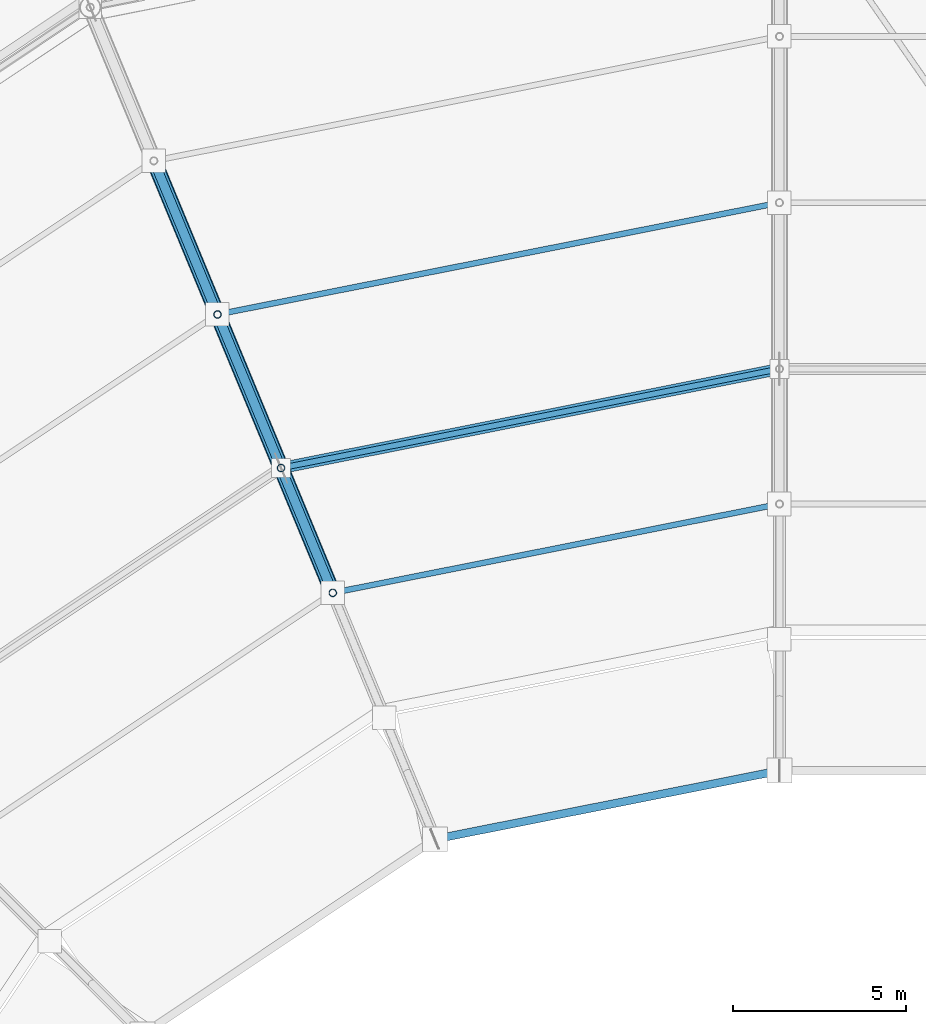
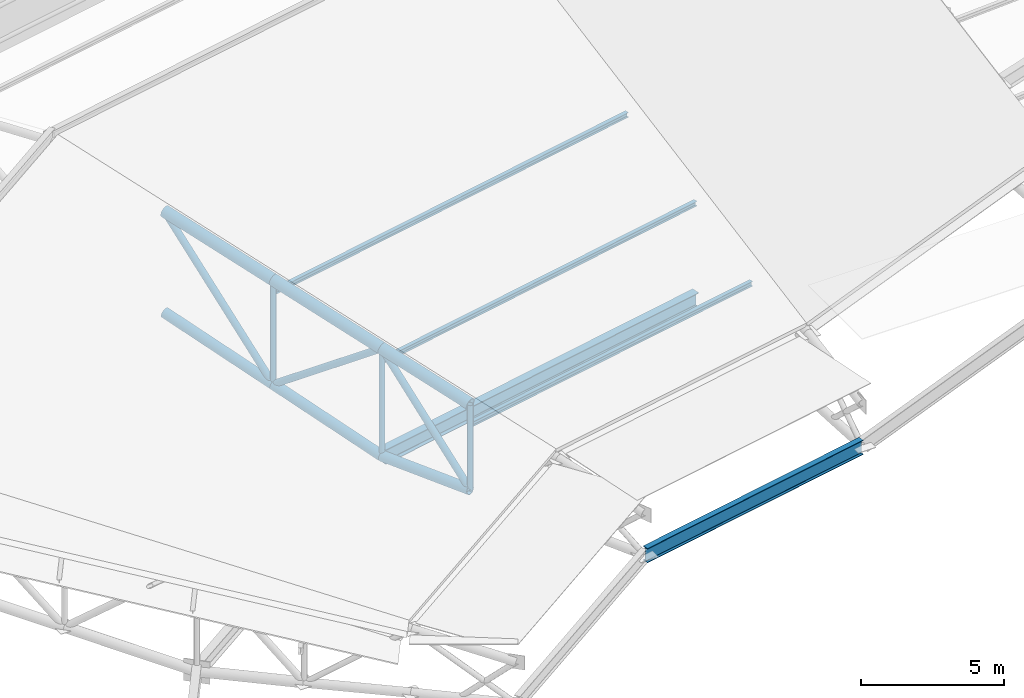
# One storey, part 52 of 146: 15 members, 2 beams.
"""IFC4 building model written with IfcOpenShell, lengths in metres."""

import ifcopenshell
import ifcopenshell.guid

model = None  # the IFC model being written
_history = None  # IfcOwnerHistory: only IFC2X3 demands one
_inside = {}  # id of a spatial element -> (the spatial element, [elements in it])
_under = {}  # id of a project, library or spatial element -> (it, [spatial elements below it])
_declared = {}  # id of a project -> (the project, [libraries it declares])
_typed = {}  # id of a type object -> (the type object, [elements of that type])
_made_of = {}  # id of a material, layer set ... -> (it, [elements and type objects made of it])


def new_model(schema):
    """Start an empty IFC model of exactly this schema.

    Asked for "IFC4X3", IfcOpenShell would pick the latest addendum, in which some entities
    have other attributes; the version numbers below select the first issue.
    IFC2X3 requires an IfcOwnerHistory on every rooted entity: one is made here for all.
    """
    global model, _history
    if schema == "IFC4X3":
        model = ifcopenshell.file(schema_version=(4, 3, 0, 0))
    else:
        model = ifcopenshell.file(schema=schema)
    _inside.clear()
    _under.clear()
    _declared.clear()
    _typed.clear()
    _made_of.clear()
    _history = None
    if model.schema == "IFC2X3":
        org = make("IfcOrganization", Name="unknown")
        user = make(
            "IfcPersonAndOrganization",
            ThePerson=make("IfcPerson", FamilyName="unknown"),
            TheOrganization=org,
        )
        app = make(
            "IfcApplication",
            ApplicationDeveloper=org,
            Version="unknown",
            ApplicationFullName="unknown",
            ApplicationIdentifier="unknown",
        )
        _history = make(
            "IfcOwnerHistory",
            OwningUser=user,
            OwningApplication=app,
            ChangeAction="ADDED",
            CreationDate=0,
        )
    return model


def make(cls, **values):
    """One entity of the class cls with the attributes given. An attribute that is None is left unset."""
    return model.create_entity(
        cls, **{name: value for name, value in values.items() if value is not None}
    )


def rooted(cls, **values):
    """An entity with a GlobalId (a new one), such as an element, a storey or a relation."""
    return make(cls, GlobalId=ifcopenshell.guid.new(), OwnerHistory=_history, **values)


def si_unit(unit_type, name, prefix=None):
    """IfcSIUnit, for example si_unit("LENGTHUNIT", "METRE", prefix="MILLI")."""
    return make("IfcSIUnit", UnitType=unit_type, Prefix=prefix, Name=name)


def assignment(units):
    """IfcUnitAssignment: the units of a project."""
    return None if units is None else make("IfcUnitAssignment", Units=units)


def point(xyz):
    """IfcCartesianPoint."""
    return None if xyz is None else make("IfcCartesianPoint", Coordinates=xyz)


def direction(xyz):
    """IfcDirection."""
    return None if xyz is None else make("IfcDirection", DirectionRatios=xyz)


def frame(location, z_axis=None, x_axis=None):
    """IfcAxis2Placement3D, a coordinate frame: its origin and axes. An axis left out is left unset."""
    return make(
        "IfcAxis2Placement3D",
        Location=point(location),
        Axis=direction(z_axis),
        RefDirection=direction(x_axis),
    )


def frame_2d(location, x_axis=None):
    """IfcAxis2Placement2D, a coordinate frame in the plane: its origin and x axis."""
    return make(
        "IfcAxis2Placement2D", Location=point(location), RefDirection=direction(x_axis)
    )


def origin():
    """The frame at (0, 0, 0) with its axes left unset."""
    return frame((0.0, 0.0, 0.0))


def origin_2d():
    """The frame at (0, 0) in the plane with its x axis left unset."""
    return frame_2d((0.0, 0.0))


def place(relative_to, where):
    """IfcLocalPlacement: puts the frame where relative to a parent placement (None: the world)."""
    return make(
        "IfcLocalPlacement", PlacementRelTo=relative_to, RelativePlacement=where
    )


def context(
    kind, dimensions, precision=None, world=None, true_north=None, identifier=None
):
    """IfcGeometricRepresentationContext, for example the 3D "Model" context."""
    return make(
        "IfcGeometricRepresentationContext",
        ContextIdentifier=identifier,
        ContextType=kind,
        CoordinateSpaceDimension=dimensions,
        Precision=precision,
        WorldCoordinateSystem=world,
        TrueNorth=true_north,
    )


def subcontext(parent, identifier, kind, view, scale=None):
    """IfcGeometricRepresentationSubContext, for example "Body" below "Model"."""
    return make(
        "IfcGeometricRepresentationSubContext",
        ContextIdentifier=identifier,
        ContextType=kind,
        ParentContext=parent,
        TargetScale=scale,
        TargetView=view,
    )


def project(units=None, contexts=None):
    """IfcProject with its units and contexts."""
    return rooted(
        "IfcProject",
        Name="project",
        RepresentationContexts=contexts,
        UnitsInContext=assignment(units),
    )


def spatial(cls, under=None, at=None, **own):
    """A site, building, storey or space (cls), placed at a placement, below another one or the project."""
    s = rooted(cls, ObjectPlacement=at, **own)
    if under is not None:
        _under.setdefault(under.id(), (under, []))[1].append(s)
    return s


def profile(cls, at=None, kind="AREA", **sizes):
    """A parametric profile (cls). Its sizes go by their IFC names, for example OverallWidth=200.0."""
    return make(cls, ProfileType=kind, Position=at, **sizes)


def hollow_circle(**sizes):
    """IfcCircleHollowProfileDef."""
    return profile("IfcCircleHollowProfileDef", **sizes)


def i_section(**sizes):
    """IfcIShapeProfileDef."""
    return profile("IfcIShapeProfileDef", **sizes)


def extrude(swept, where, along, depth):
    """IfcExtrudedAreaSolid: the profile swept, set in the frame where, extruded along a direction by depth."""
    return make(
        "IfcExtrudedAreaSolid",
        SweptArea=swept,
        Position=where,
        ExtrudedDirection=direction(along),
        Depth=depth,
    )


def shape(context_of_items, identifier, shape_type, items):
    """IfcShapeRepresentation: the items that make up one representation, for example the "Body"."""
    return make(
        "IfcShapeRepresentation",
        ContextOfItems=context_of_items,
        RepresentationIdentifier=identifier,
        RepresentationType=shape_type,
        Items=items,
    )


def material(Name=None, Category=None):
    """IfcMaterial."""
    return make("IfcMaterial", Name=Name, Category=Category)


def material_profile(
    of_material, cross_section, Name=None, Category=None, Priority=None
):
    """IfcMaterialProfile: a cross section and its material."""
    return make(
        "IfcMaterialProfile",
        Name=Name,
        Material=of_material,
        Profile=cross_section,
        Priority=Priority,
        Category=Category,
    )


def profile_set(profiles, Name=None, composite=None):
    """IfcMaterialProfileSet."""
    return make(
        "IfcMaterialProfileSet",
        Name=Name,
        MaterialProfiles=profiles,
        CompositeProfile=composite,
    )


def made_of(thing, what):
    """Note that an element or type object is made of a material, layer set ...; save() writes the relation."""
    if what is not None:
        _made_of.setdefault(what.id(), (what, []))[1].append(thing)
    return thing


def type_object(cls, material=None, **own):
    """A type object (cls), such as IfcWallType, which elements share."""
    return made_of(rooted(cls, **own), material)


def element(
    cls,
    number,
    at=None,
    inside=None,
    cuts=None,
    type_object=None,
    material=None,
    context=None,
    identifier="Body",
    shape_type=None,
    held_by="IfcProductDefinitionShape",
    body=None,
    shapes=None,
    **own,
):
    """One element of the class cls, such as IfcWall. Its Tag is "e" and its number.

    at: its placement. inside: the storey or other place that contains it. cuts: it is an
    opening in that element (IfcRelVoidsElement). A single representation is given by context,
    identifier, shape_type and body (its items); several are given by shapes. held_by: the class
    of the entity that holds the representations. save() writes the other relations.
    """
    e = rooted(cls, Tag="e%d" % number, ObjectPlacement=at, **own)
    if body is not None:
        shapes = [shape(context, identifier, shape_type, body)]
    if shapes is not None:
        e.Representation = make(held_by, Representations=shapes)
    if inside is not None:
        _inside.setdefault(inside.id(), (inside, []))[1].append(e)
    if cuts is not None:
        rooted(
            "IfcRelVoidsElement", RelatingBuildingElement=cuts, RelatedOpeningElement=e
        )
    if type_object is not None:
        _typed.setdefault(type_object.id(), (type_object, []))[1].append(e)
    return made_of(e, material)


def aggregate(whole, parts):
    """IfcRelAggregates: a whole, such as a stair, and the parts it consists of."""
    return rooted("IfcRelAggregates", RelatingObject=whole, RelatedObjects=parts)


def save(model, path):
    """Write the relations noted so far, then the file.

    IfcRelAggregates (storeys below a building ...), IfcRelContainedInSpatialStructure (elements
    in a storey), IfcRelDefinesByType, IfcRelAssociatesMaterial and IfcRelDeclares: one each for
    every whole, place, type object, material and project.
    """
    for whole, parts in _under.values():
        aggregate(whole, parts)
    for where, things in _inside.values():
        rooted(
            "IfcRelContainedInSpatialStructure",
            RelatedElements=things,
            RelatingStructure=where,
        )
    for kind, things in _typed.values():
        rooted("IfcRelDefinesByType", RelatedObjects=things, RelatingType=kind)
    for what, things in _made_of.values():
        rooted("IfcRelAssociatesMaterial", RelatedObjects=things, RelatingMaterial=what)
    for by, libraries in _declared.values():
        rooted("IfcRelDeclares", RelatingContext=by, RelatedDefinitions=libraries)
    model.write(path)


model = new_model("IFC4")

# Units and contexts
model_context = context("Model", 3, precision=1e-05, world=origin(), true_north=direction((0.0, 1.0)))
body_context = subcontext(model_context, "Body", "Model", "MODEL_VIEW")
ifc_project = project(units=[si_unit("LENGTHUNIT", "METRE"), si_unit("AREAUNIT", "SQUARE_METRE"), si_unit("VOLUMEUNIT", "CUBIC_METRE"), si_unit("PLANEANGLEUNIT", "RADIAN"), si_unit("MASSUNIT", "GRAM", prefix="KILO")], contexts=[model_context])

# Site, building, storey
site_placement = place(None, origin())
site = spatial("IfcSite", under=ifc_project, at=site_placement, CompositionType="ELEMENT")
building_placement = place(site_placement, origin())
building = spatial("IfcBuilding", under=site, at=building_placement, Name="Candeia Ridge Stadium", CompositionType="ELEMENT")
storey_placement = place(building_placement, frame((0.0, 0.0, 31.800048828125)))
storey = spatial("IfcBuildingStorey", under=building, at=storey_placement, Name="RF", CompositionType="ELEMENT", Elevation=31.800048828125)

# Beams
ifc_material = material(Name="Steel ASTM A572 Grade 50", Category="steel")
ifc_material_profile_1 = material_profile(ifc_material, i_section(OverallWidth=0.324951171875, OverallDepth=0.615966796875, WebThickness=0.013916015625, FlangeThickness=0.021484375, FilletRadius=0.014892578125, at=origin_2d()), Name="W610x174", Category="steel")
ifc_profile_set_1 = profile_set([ifc_material_profile_1], Name="Steel ASTM A572 Grade 50")
beam_type_1 = type_object("IfcBeamType", Name="Roof Compression Ring Beam W610x174", PredefinedType="BEAM", material=ifc_profile_set_1)
beam_1_placement = place(storey_placement, frame((70.960693359375, 132.59228515625, -2.6640625), z_axis=(-0.980782874014, -0.195102419364, 0.0), x_axis=(0.195102419364, -0.980782874014, 0.0)))
element("IfcBeam", 1, at=beam_1_placement, inside=storey, type_object=beam_type_1, Name="Roof compression ring beam bay 08", PredefinedType="BEAM", context=body_context, shape_type="SweptSolid", body=[
    extrude(i_section(OverallWidth=0.324951171875, OverallDepth=0.615966796875, WebThickness=0.013916015625, FlangeThickness=0.021484375, FilletRadius=0.014892578125, at=origin_2d()), origin(), (0.0, 0.0, 1.0), 14.590576171875),
])
ifc_material_profile_2 = material_profile(ifc_material, i_section(OverallWidth=0.22998046875, OverallDepth=0.616943359375, WebThickness=0.01318359375, FlangeThickness=0.022216796875, FilletRadius=0.014892578125, at=origin_2d()), Name="W610x140", Category="steel")
ifc_profile_set_2 = profile_set([ifc_material_profile_2], Name="Steel ASTM A572 Grade 50")
beam_type_2 = type_object("IfcBeamType", Name="Roof Inner Tension Ring Beam W610x140", PredefinedType="BEAM", material=ifc_profile_set_2)
beam_2_placement = place(storey_placement, frame((70.960693359375, 120.9921875, -1.9599609375), z_axis=(-0.980783534047, -0.195099101337, 0.0), x_axis=(0.195099101337, -0.980783534047, 0.0)))
element("IfcBeam", 2, at=beam_2_placement, inside=storey, type_object=beam_type_2, Name="Roof inner tension ring beam bay 08", PredefinedType="BEAM", context=body_context, shape_type="SweptSolid", body=[
    extrude(i_section(OverallWidth=0.22998046875, OverallDepth=0.616943359375, WebThickness=0.01318359375, FlangeThickness=0.022216796875, FilletRadius=0.014892578125, at=origin_2d()), origin(), (0.0, 0.0, 1.0), 10.064697265625),
])

# Members
ifc_material_profile_3 = material_profile(ifc_material, i_section(OverallWidth=0.1650390625, OverallDepth=0.200927734375, WebThickness=0.006103515625, FlangeThickness=0.01025390625, FilletRadius=0.010009765625, at=origin_2d()), Name="W200x35.9", Category="steel")
ifc_profile_set_3 = profile_set([ifc_material_profile_3], Name="Steel ASTM A572 Grade 50")
member_type_1 = type_object("IfcMemberType", Name="Roof Purlin W200x35.9", PredefinedType="PURLIN", material=ifc_profile_set_3)
member_1_placement = place(storey_placement, frame((70.950927734375, 128.690185546875, 0.3544921875), z_axis=(-0.980786655499, -0.195083408815, 0.0), x_axis=(0.195083408815, -0.980786655499, 0.0)))
element("IfcMember", 3, at=member_1_placement, inside=storey, type_object=member_type_1, Name="Saddle roof steel purlin bay 08-1", PredefinedType="PURLIN", context=body_context, shape_type="SweptSolid", body=[
    extrude(i_section(OverallWidth=0.1650390625, OverallDepth=0.200927734375, WebThickness=0.006103515625, FlangeThickness=0.01025390625, FilletRadius=0.010009765625, at=origin_2d()), origin(), (0.0, 0.0, 1.0), 13.049072265625),
])
member_2_placement = place(storey_placement, frame((70.950927734375, 132.59033203125, 1.416015625), z_axis=(-0.980783149699, -0.195101033486, 0.0), x_axis=(0.195101033486, -0.980783149699, 0.0)))
element("IfcMember", 4, at=member_2_placement, inside=storey, type_object=member_type_1, Name="Saddle roof steel purlin bay 08-2", PredefinedType="PURLIN", context=body_context, shape_type="SweptSolid", body=[
    extrude(i_section(OverallWidth=0.1650390625, OverallDepth=0.200927734375, WebThickness=0.006103515625, FlangeThickness=0.01025390625, FilletRadius=0.010009765625, at=origin_2d()), origin(), (0.0, 0.0, 1.0), 14.57080078125),
])
member_3_placement = place(storey_placement, frame((70.950927734375, 137.39013671875, 2.303955078125), z_axis=(-0.980785144259, -0.195091006457, 0.0), x_axis=(0.195091006457, -0.980785144259, 0.0)))
element("IfcMember", 5, at=member_3_placement, inside=storey, type_object=member_type_1, Name="Saddle roof steel purlin bay 08-3", PredefinedType="PURLIN", context=body_context, shape_type="SweptSolid", body=[
    extrude(i_section(OverallWidth=0.1650390625, OverallDepth=0.200927734375, WebThickness=0.006103515625, FlangeThickness=0.01025390625, FilletRadius=0.010009765625, at=origin_2d()), origin(), (0.0, 0.0, 1.0), 16.443603515625),
])
ifc_material_profile_4 = material_profile(ifc_material, hollow_circle(Radius=0.136474609375, WallThickness=0.010009765625, at=origin_2d()), Name="CHS273x10", Category="steel")
ifc_profile_set_4 = profile_set([ifc_material_profile_4], Name="Steel ASTM A572 Grade 50")
member_type_2 = type_object("IfcMemberType", Name="Roof Truss Heavy Web Brace CHS273x10", PredefinedType="BRACE", material=ifc_profile_set_4)
member_4_placement = place(storey_placement, frame((58.103515625, 126.134765625, -2.444091796875), z_axis=(-0.254477196729, 0.61435865685, 0.746863305498), x_axis=(-0.923878730261, -0.382685369162, 0.0)))
element("IfcMember", 6, at=member_4_placement, inside=storey, type_object=member_type_2, Name="Roof cantilever truss RT-09 diagonal web 3", PredefinedType="BRACE", context=body_context, shape_type="SweptSolid", body=[
    extrude(hollow_circle(Radius=0.136474609375, WallThickness=0.010009765625, at=origin_2d()), origin(), (0.0, 0.0, 1.0), 5.86474609375),
])
member_5_placement = place(storey_placement, frame((56.611083984375, 129.73779296875, 1.93603515625), z_axis=(-0.306791934683, 0.740679890153, -0.597722351211), x_axis=(-0.923882937544, -0.382675211785, 0.0)))
element("IfcMember", 7, at=member_5_placement, inside=storey, type_object=member_type_2, Name="Roof cantilever truss RT-09 diagonal web 4", PredefinedType="BRACE", context=body_context, shape_type="SweptSolid", body=[
    extrude(hollow_circle(Radius=0.136474609375, WallThickness=0.010009765625, at=origin_2d()), origin(), (0.0, 0.0, 1.0), 5.987548828125),
])
member_6_placement = place(storey_placement, frame((54.774169921875, 134.172607421875, -1.642822265625), z_axis=(-0.255440364672, 0.616669163197, 0.744626996058), x_axis=(-0.923875488976, -0.382693194178, 0.0)))
element("IfcMember", 8, at=member_6_placement, inside=storey, type_object=member_type_2, Name="Roof cantilever truss RT-09 diagonal web 5", PredefinedType="BRACE", context=body_context, shape_type="SweptSolid", body=[
    extrude(hollow_circle(Radius=0.136474609375, WallThickness=0.010009765625, at=origin_2d()), origin(), (0.0, 0.0, 1.0), 7.191162109375),
])
ifc_material_profile_5 = material_profile(ifc_material, hollow_circle(Radius=0.109619140625, WallThickness=0.010009765625, at=origin_2d()), Name="CHS219x10", Category="steel")
ifc_profile_set_5 = profile_set([ifc_material_profile_5], Name="Steel ASTM A572 Grade 50")
member_type_3 = type_object("IfcMemberType", Name="Roof Truss Inner Web Brace CHS219x10", PredefinedType="BRACE", material=ifc_profile_set_5)
member_7_placement = place(storey_placement, frame((58.103515625, 126.134765625, -2.444091796875), z_axis=(0.0, 0.0, 1.0), x_axis=(1.0, 0.0, 0.0)))
element("IfcMember", 9, at=member_7_placement, inside=storey, type_object=member_type_3, Name="Roof cantilever truss RT-09 vertical post 2", PredefinedType="BRACE", context=body_context, shape_type="SweptSolid", body=[
    extrude(hollow_circle(Radius=0.109619140625, WallThickness=0.010009765625, at=origin_2d()), origin(), (0.0, 0.0, 1.0), 3.658447265625),
])
member_8_placement = place(storey_placement, frame((56.611083984375, 129.73779296875, -2.6640625), z_axis=(0.0, 0.0, 1.0), x_axis=(1.0, 0.0, 0.0)))
element("IfcMember", 10, at=member_8_placement, inside=storey, type_object=member_type_3, Name="Roof cantilever truss RT-09 vertical post 3", PredefinedType="BRACE", context=body_context, shape_type="SweptSolid", body=[
    extrude(hollow_circle(Radius=0.109619140625, WallThickness=0.010009765625, at=origin_2d()), origin(), (0.0, 0.0, 1.0), 4.60009765625),
])
member_9_placement = place(storey_placement, frame((54.774169921875, 134.172607421875, -1.642822265625), z_axis=(0.0, 0.0, 1.0), x_axis=(1.0, 0.0, 0.0)))
element("IfcMember", 11, at=member_9_placement, inside=storey, type_object=member_type_3, Name="Roof cantilever truss RT-09 vertical post 4", PredefinedType="BRACE", context=body_context, shape_type="SweptSolid", body=[
    extrude(hollow_circle(Radius=0.109619140625, WallThickness=0.010009765625, at=origin_2d()), origin(), (0.0, 0.0, 1.0), 4.466796875),
])
ifc_material_profile_6 = material_profile(ifc_material, hollow_circle(Radius=0.228515625, WallThickness=0.02001953125, at=origin_2d()), Name="CHS457x20", Category="steel")
ifc_profile_set_6 = profile_set([ifc_material_profile_6], Name="Steel ASTM A572 Grade 50")
member_type_4 = type_object("IfcMemberType", Name="Roof Truss Main Chord CHS457x20", PredefinedType="CHORD", material=ifc_profile_set_6)
member_10_placement = place(storey_placement, frame((58.103515625, 126.134765625, 1.21435546875), z_axis=(-0.376296661416, 0.908455116829, 0.181961873245), x_axis=(-0.923878730261, -0.382685369162, 0.0)))
element("IfcMember", 12, at=member_10_placement, inside=storey, type_object=member_type_4, Name="Roof cantilever truss RT-09 top chord 3", PredefinedType="CHORD", context=body_context, shape_type="SweptSolid", body=[
    extrude(hollow_circle(Radius=0.228515625, WallThickness=0.02001953125, at=origin_2d()), origin(), (0.0, 0.0, 1.0), 3.966064453125),
])
member_11_placement = place(storey_placement, frame((56.611083984375, 129.73779296875, 1.93603515625), z_axis=(-0.376291464053, 0.908470819314, 0.181894212488), x_axis=(-0.923882937544, -0.382675211785, 0.0)))
element("IfcMember", 13, at=member_11_placement, inside=storey, type_object=member_type_4, Name="Roof cantilever truss RT-09 top chord 4", PredefinedType="CHORD", context=body_context, shape_type="SweptSolid", body=[
    extrude(hollow_circle(Radius=0.228515625, WallThickness=0.02001953125, at=origin_2d()), origin(), (0.0, 0.0, 1.0), 4.881591796875),
])
member_12_placement = place(storey_placement, frame((54.774169921875, 134.172607421875, 2.823974609375), z_axis=(-0.376308561394, 0.908462082556, 0.181902477112), x_axis=(-0.923875488976, -0.382693194178, 0.0)))
element("IfcMember", 14, at=member_12_placement, inside=storey, type_object=member_type_4, Name="Roof cantilever truss RT-09 top chord 5", PredefinedType="CHORD", context=body_context, shape_type="SweptSolid", body=[
    extrude(hollow_circle(Radius=0.228515625, WallThickness=0.02001953125, at=origin_2d()), origin(), (0.0, 0.0, 1.0), 4.88134765625),
])
ifc_material_profile_7 = material_profile(ifc_material, hollow_circle(Radius=0.202880859375, WallThickness=0.01611328125, at=origin_2d()), Name="CHS406x16", Category="steel")
ifc_profile_set_7 = profile_set([ifc_material_profile_7], Name="Steel ASTM A572 Grade 50")
member_type_5 = type_object("IfcMemberType", Name="Roof Truss Outer Chord CHS406x16", PredefinedType="CHORD", material=ifc_profile_set_7)
member_13_placement = place(storey_placement, frame((58.103515625, 126.134765625, -2.444091796875), z_axis=(-0.382078071491, 0.922412592682, -0.056314795095), x_axis=(-0.923878730261, -0.382685369162, 0.0)))
element("IfcMember", 15, at=member_13_placement, inside=storey, type_object=member_type_5, Name="Roof cantilever truss RT-09 bottom chord 3", PredefinedType="CHORD", context=body_context, shape_type="SweptSolid", body=[
    extrude(hollow_circle(Radius=0.202880859375, WallThickness=0.01611328125, at=origin_2d()), origin(), (0.0, 0.0, 1.0), 3.906005859375),
])
member_14_placement = place(storey_placement, frame((56.611083984375, 129.73779296875, -2.6640625), z_axis=(-0.374298115224, 0.903658328422, 0.208092639019), x_axis=(-0.923882937544, -0.382675211785, 0.0)))
element("IfcMember", 16, at=member_14_placement, inside=storey, type_object=member_type_5, Name="Roof cantilever truss RT-09 bottom chord 4", PredefinedType="CHORD", context=body_context, shape_type="SweptSolid", body=[
    extrude(hollow_circle(Radius=0.202880859375, WallThickness=0.01611328125, at=origin_2d()), origin(), (0.0, 0.0, 1.0), 4.90771484375),
])
member_15_placement = place(storey_placement, frame((54.774169921875, 134.172607421875, -1.642822265625), z_axis=(-0.374311066606, 0.903639847666, 0.208149588341), x_axis=(-0.923875488976, -0.382693194178, 0.0)))
element("IfcMember", 17, at=member_15_placement, inside=storey, type_object=member_type_5, Name="Roof cantilever truss RT-09 bottom chord 5", PredefinedType="CHORD", context=body_context, shape_type="SweptSolid", body=[
    extrude(hollow_circle(Radius=0.202880859375, WallThickness=0.01611328125, at=origin_2d()), origin(), (0.0, 0.0, 1.0), 4.907470703125),
])

save(model, "model.ifc")
